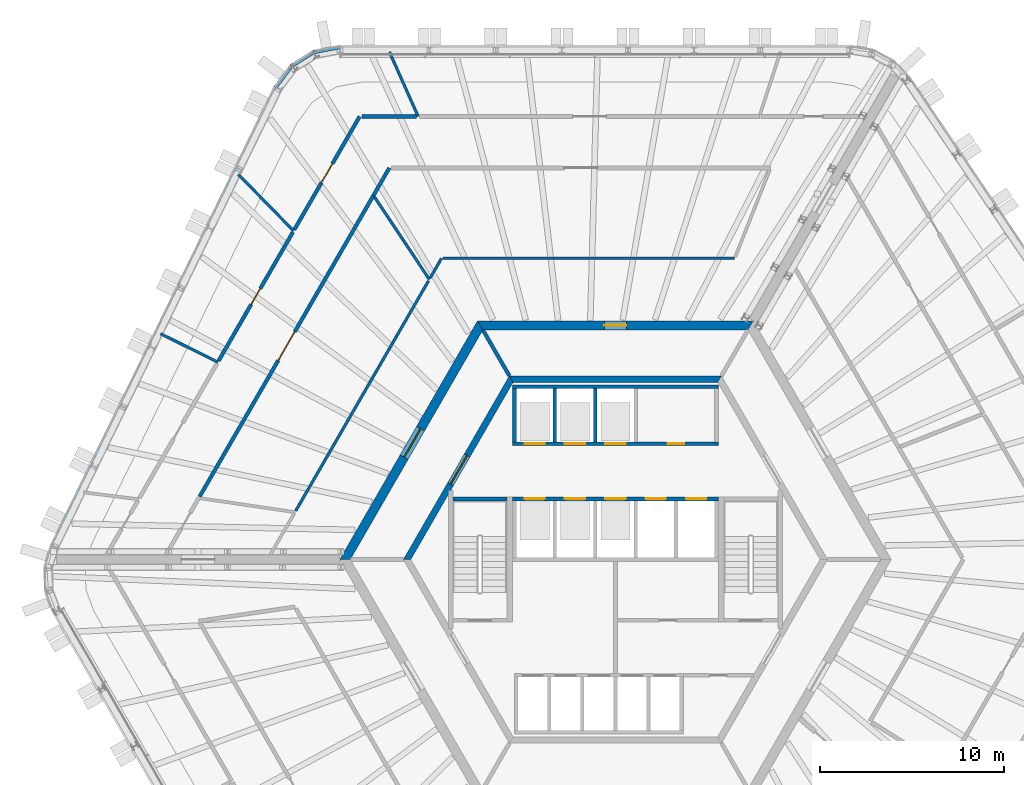
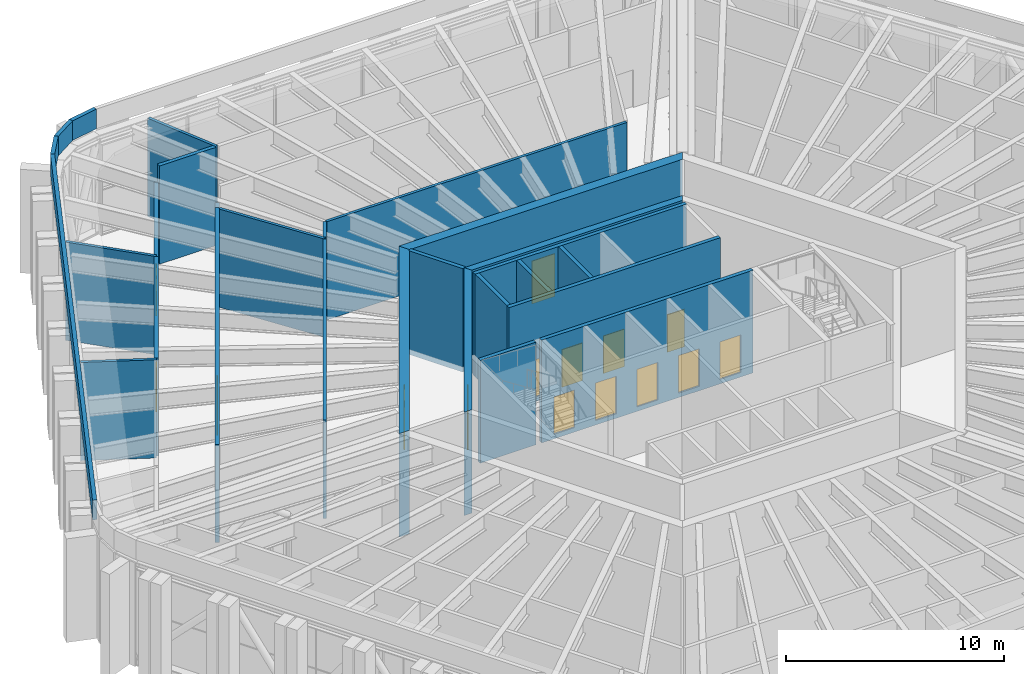
# One storey, part 14 of 24: 28 walls, 15 doors, 15 openings.
"""IFC4 building model written with IfcOpenShell, lengths in metres."""

from ifc_helpers import new_model, si_unit, direction, frame, frame_2d, origin, place, context, subcontext, project, spatial, polyline, rectangle, outline, extrude, material, layer, layer_set, type_object, element, fill, save


model = new_model("IFC4")

# Units and contexts
model_context = context("Model", 3, precision=1e-05, world=origin(), true_north=direction((0.0, 1.0)))
body_context = subcontext(model_context, "Body", "Model", "MODEL_VIEW")
ifc_project = project(units=[si_unit("LENGTHUNIT", "METRE"), si_unit("AREAUNIT", "SQUARE_METRE"), si_unit("VOLUMEUNIT", "CUBIC_METRE"), si_unit("PLANEANGLEUNIT", "RADIAN"), si_unit("MASSUNIT", "GRAM", prefix="KILO")], contexts=[model_context])

# Site, building, storey
site_placement = place(None, origin())
site = spatial("IfcSite", under=ifc_project, at=site_placement, CompositionType="ELEMENT")
building_placement = place(site_placement, origin())
building = spatial("IfcBuilding", under=site, at=building_placement, Name="Tarnside Tower", CompositionType="ELEMENT")
storey_placement = place(building_placement, frame((0.0, 0.0, 250.199951171875)))
storey = spatial("IfcBuildingStorey", under=building, at=storey_placement, Name="L60", CompositionType="ELEMENT", Elevation=250.199951171875)

# Wall, opening, door
ifc_material_1 = material(Name="Concrete C50/60", Category="concrete")
ifc_layer_1 = layer(ifc_material_1, 0.35009765625)
ifc_layer_set_1 = layer_set([ifc_layer_1], Name="Core block wall 350 C50/60")
wall_type_1 = type_object("IfcWallType", Name="Core block wall 350 C50/60", PredefinedType="SHEAR", material=ifc_layer_set_1)
wall_1_placement = place(storey_placement, frame((-5.672607421875, 9.824951171875, -0.300048828125), z_axis=(0.0, 0.0, 1.0), x_axis=(-0.499995046907, -0.866028263435, 0.0)))
wall_1 = element("IfcWall", 1, at=wall_1_placement, inside=storey, type_object=wall_type_1, Name="L60 core block wall face 2", PredefinedType="SHEAR", context=body_context, shape_type="SweptSolid", body=[
    extrude(outline(polyline([(-0.10107421875, -0.175048828125), (11.44580078125, -0.175048828125), (11.24365234375, 0.175048828125), (0.10107421875, 0.175048828125), (-0.10107421875, -0.175048828125)])), origin(), (0.0, 0.0, 1.0), 5.800048828125),
])
opening_1_placement = place(wall_1_placement, frame((4.80126953125, 0.0, 0.300048828125)))
opening_1 = element("IfcOpeningElement", 2, at=opening_1_placement, cuts=wall_1, Name="Opening CD-LOB", PredefinedType="OPENING", context=body_context, shape_type="SweptSolid", body=[
    extrude(rectangle(XDim=1.800048828125, YDim=2.39990234375, at=frame_2d((0.89990234375, 1.199951171875))), frame((0.0, 0.18505859375, 0.0), z_axis=(0.0, -1.0, 0.0), x_axis=(1.0, 0.0, 0.0)), (0.0, 0.0, 1.0), 0.3701171875),
])
ifc_material_2 = material(Name="Steel fire door", Category="steel")
door_type_1 = type_object("IfcDoorType", Name="Lobby double door FD30S 1800x2400", OperationType="NOTDEFINED", PredefinedType="DOOR", material=ifc_material_2)
door_1_placement = place(opening_1_placement, origin())
door_1 = element("IfcDoor", 3, at=door_1_placement, inside=storey, type_object=door_type_1, Name="L60 lobby block door P1", OperationType="DOUBLE_DOOR_SINGLE_SWING", OverallHeight=2.39990234375, OverallWidth=1.800048828125, PredefinedType="DOOR", context=body_context, shape_type="SweptSolid", body=[
    extrude(rectangle(XDim=1.800048828125, YDim=2.39990234375, at=frame_2d((0.89990234375, 1.199951171875))), frame((0.0, 0.02490234375, 0.0), z_axis=(0.0, -1.0, 0.0), x_axis=(1.0, 0.0, 0.0)), (0.0, 0.0, 1.0), 0.050048828125),
])
fill(opening_1, door_1)

# Wall
wall_2_placement = place(storey_placement, frame((5.672607421875, 9.824951171875, -0.300048828125), z_axis=(0.0, 0.0, 1.0), x_axis=(-1.0, 0.0, 0.0)))
element("IfcWall", 4, at=wall_2_placement, inside=storey, type_object=wall_type_1, Name="L60 core block wall face 1", PredefinedType="SHEAR", context=body_context, shape_type="SweptSolid", body=[
    extrude(outline(polyline([(-0.10107421875, -0.175048828125), (11.4462890625, -0.175048828125), (11.244140625, 0.175048828125), (0.10107421875, 0.175048828125), (-0.10107421875, -0.175048828125)])), origin(), (0.0, 0.0, 1.0), 5.800048828125),
])

# Wall, opening, door
ifc_material_3 = material(Name="Concrete C70/85", Category="concrete")
ifc_layer_2 = layer(ifc_material_3, 0.5)
ifc_layer_set_2 = layer_set([ifc_layer_2], Name="Core wall Z2 500 C70/85")
wall_type_2 = type_object("IfcWallType", Name="Core wall Z2 500 C70/85", PredefinedType="SHEAR", material=ifc_layer_set_2)
wall_3_placement = place(storey_placement, frame((-7.361083984375, 12.75, -0.300048828125), z_axis=(0.0, 0.0, 1.0), x_axis=(-0.50000571537, -0.866022103989, 0.0)))
wall_3 = element("IfcWall", 5, at=wall_3_placement, inside=storey, type_object=wall_type_2, Name="L60 core wall face 2", PredefinedType="SHEAR", context=body_context, shape_type="SweptSolid", body=[
    extrude(outline(polyline([(-0.144287109375, -0.25), (14.86669921875, -0.25), (14.578125, 0.25), (0.144287109375, 0.25), (-0.144287109375, -0.25)])), origin(), (0.0, 0.0, 1.0), 5.800048828125),
])
opening_2_placement = place(wall_3_placement, frame((6.489990234375, 0.0, 0.300048828125)))
opening_2 = element("IfcOpeningElement", 6, at=opening_2_placement, cuts=wall_3, Name="Opening CD-LOB", PredefinedType="OPENING", context=body_context, shape_type="SweptSolid", body=[
    extrude(rectangle(XDim=1.800048828125, YDim=2.39990234375, at=frame_2d((0.89990234375, 1.199951171875))), frame((0.0, 0.260009765625, 0.0), z_axis=(0.0, -1.0, 0.0), x_axis=(1.0, 0.0, 0.0)), (0.0, 0.0, 1.0), 0.52001953125),
])
door_2_placement = place(opening_2_placement, origin())
door_2 = element("IfcDoor", 7, at=door_2_placement, inside=storey, type_object=door_type_1, Name="L60 core door P1", OperationType="DOUBLE_DOOR_SINGLE_SWING", OverallHeight=2.39990234375, OverallWidth=1.800048828125, PredefinedType="DOOR", context=body_context, shape_type="SweptSolid", body=[
    extrude(rectangle(XDim=1.800048828125, YDim=2.39990234375, at=frame_2d((0.89990234375, 1.199951171875))), frame((0.0, 0.02490234375, 0.0), z_axis=(0.0, -1.0, 0.0), x_axis=(1.0, 0.0, 0.0)), (0.0, 0.0, 1.0), 0.050048828125),
])
fill(opening_2, door_2)

wall_4_placement = place(storey_placement, frame((7.361083984375, 12.75, -0.300048828125), z_axis=(0.0, 0.0, 1.0), x_axis=(-1.0, 0.0, 0.0)))
wall_4 = element("IfcWall", 8, at=wall_4_placement, inside=storey, type_object=wall_type_2, Name="L60 core wall face 1", PredefinedType="SHEAR", context=body_context, shape_type="SweptSolid", body=[
    extrude(outline(polyline([(-0.144287109375, -0.25), (14.866455078125, -0.25), (14.577880859375, 0.25), (0.144287109375, 0.25), (-0.144287109375, -0.25)])), origin(), (0.0, 0.0, 1.0), 5.800048828125),
])
opening_3_placement = place(wall_4_placement, frame((6.76123046875, 0.0, 0.300048828125)))
opening_3 = element("IfcOpeningElement", 9, at=opening_3_placement, cuts=wall_4, Name="Opening CD-RSR", PredefinedType="OPENING", context=body_context, shape_type="SweptSolid", body=[
    extrude(rectangle(XDim=1.199951171875, YDim=2.39990234375, at=frame_2d((0.60009765625, 1.199951171875))), frame((0.0, 0.260009765625, 0.0), z_axis=(0.0, -1.0, 0.0), x_axis=(1.0, 0.0, 0.0)), (0.0, 0.0, 1.0), 0.52001953125),
])
door_type_2 = type_object("IfcDoorType", Name="Riser door FD60 1200x2400", OperationType="NOTDEFINED", PredefinedType="DOOR", material=ifc_material_2)
door_3_placement = place(opening_3_placement, origin())
door_3 = element("IfcDoor", 10, at=door_3_placement, inside=storey, type_object=door_type_2, Name="L60 core door S5", OperationType="SINGLE_SWING_LEFT", OverallHeight=2.39990234375, OverallWidth=1.199951171875, PredefinedType="DOOR", context=body_context, shape_type="SweptSolid", body=[
    extrude(rectangle(XDim=1.199951171875, YDim=2.39990234375, at=frame_2d((0.60009765625, 1.199951171875))), frame((0.0, 0.02490234375, 0.0), z_axis=(0.0, -1.0, 0.0), x_axis=(1.0, 0.0, 0.0)), (0.0, 0.0, 1.0), 0.050048828125),
])
fill(opening_3, door_3)

# Wall, openings, doors
ifc_material_4 = material(Name="Concrete C40/50", Category="concrete")
ifc_layer_3 = layer(ifc_material_4, 0.199951171875)
ifc_layer_set_3 = layer_set([ifc_layer_3], Name="Lift shaft wall 200 C40/50")
wall_type_3 = type_object("IfcWallType", Name="Lift shaft wall 200 C40/50", PredefinedType="SHEAR", material=ifc_layer_set_3)
wall_5_placement = place(storey_placement, frame((-5.60009765625, 6.300048828125, -0.25), z_axis=(0.0, 0.0, 1.0), x_axis=(1.0, 0.0, 0.0)))
wall_5 = element("IfcWall", 11, at=wall_5_placement, inside=storey, type_object=wall_type_3, Name="L60 lift shaft front wall R1", PredefinedType="SHEAR", context=body_context, shape_type="SweptSolid", body=[
    extrude(rectangle(XDim=11.2001953125, YDim=0.199951171875, at=frame_2d((5.60009765625, 0.0))), origin(), (0.0, 0.0, 1.0), 5.75),
])
opening_4_placement = place(wall_5_placement, frame((8.449951171875, 0.0, 0.25)))
opening_4 = element("IfcOpeningElement", 12, at=opening_4_placement, cuts=wall_5, Name="Opening CD-room", PredefinedType="OPENING", context=body_context, shape_type="SweptSolid", body=[
    extrude(rectangle(XDim=0.89990234375, YDim=2.10009765625, at=frame_2d((0.449951171875, 1.050048828125))), frame((0.0, 0.10986328125, 0.0), z_axis=(0.0, -1.0, 0.0), x_axis=(1.0, 0.0, 0.0)), (0.0, 0.0, 1.0), 0.219970703125),
])
opening_5_placement = place(wall_5_placement, frame((0.64990234375, 0.0, 0.25)))
opening_5 = element("IfcOpeningElement", 13, at=opening_5_placement, cuts=wall_5, Name="Opening LD", PredefinedType="OPENING", context=body_context, shape_type="SweptSolid", body=[
    extrude(rectangle(XDim=1.10009765625, YDim=2.10009765625, at=frame_2d((0.550048828125, 1.050048828125))), frame((0.0, 0.10986328125, 0.0), z_axis=(0.0, -1.0, 0.0), x_axis=(1.0, 0.0, 0.0)), (0.0, 0.0, 1.0), 0.219970703125),
])
opening_6_placement = place(wall_5_placement, frame((2.85009765625, 0.0, 0.25)))
opening_6 = element("IfcOpeningElement", 14, at=opening_6_placement, cuts=wall_5, Name="Opening LD", PredefinedType="OPENING", context=body_context, shape_type="SweptSolid", body=[
    extrude(rectangle(XDim=1.10009765625, YDim=2.10009765625, at=frame_2d((0.550048828125, 1.050048828125))), frame((0.0, 0.10986328125, 0.0), z_axis=(0.0, -1.0, 0.0), x_axis=(1.0, 0.0, 0.0)), (0.0, 0.0, 1.0), 0.219970703125),
])
opening_7_placement = place(wall_5_placement, frame((5.050048828125, 0.0, 0.25)))
opening_7 = element("IfcOpeningElement", 15, at=opening_7_placement, cuts=wall_5, Name="Opening LD", PredefinedType="OPENING", context=body_context, shape_type="SweptSolid", body=[
    extrude(rectangle(XDim=1.10009765625, YDim=2.10009765625, at=frame_2d((0.550048828125, 1.050048828125))), frame((0.0, 0.10986328125, 0.0), z_axis=(0.0, -1.0, 0.0), x_axis=(1.0, 0.0, 0.0)), (0.0, 0.0, 1.0), 0.219970703125),
])
ifc_material_5 = material(Name="Stainless steel", Category="steel")
door_type_3 = type_object("IfcDoorType", Name="Lift landing door 1100x2100", OperationType="NOTDEFINED", PredefinedType="DOOR", material=ifc_material_5)
door_4_placement = place(opening_5_placement, origin())
door_4 = element("IfcDoor", 16, at=door_4_placement, inside=storey, type_object=door_type_3, Name="High-rise lift 1 landing door L60", OperationType="SLIDING_TO_LEFT", OverallHeight=2.10009765625, OverallWidth=1.10009765625, PredefinedType="DOOR", context=body_context, shape_type="SweptSolid", body=[
    extrude(rectangle(XDim=1.10009765625, YDim=2.10009765625, at=frame_2d((0.550048828125, 1.050048828125))), frame((0.0, 0.02490234375, 0.0), z_axis=(0.0, -1.0, 0.0), x_axis=(1.0, 0.0, 0.0)), (0.0, 0.0, 1.0), 0.050048828125),
])
fill(opening_5, door_4)
door_5_placement = place(opening_6_placement, origin())
door_5 = element("IfcDoor", 17, at=door_5_placement, inside=storey, type_object=door_type_3, Name="High-rise lift 2 landing door L60", OperationType="SLIDING_TO_LEFT", OverallHeight=2.10009765625, OverallWidth=1.10009765625, PredefinedType="DOOR", context=body_context, shape_type="SweptSolid", body=[
    extrude(rectangle(XDim=1.10009765625, YDim=2.10009765625, at=frame_2d((0.550048828125, 1.050048828125))), frame((0.0, 0.02490234375, 0.0), z_axis=(0.0, -1.0, 0.0), x_axis=(1.0, 0.0, 0.0)), (0.0, 0.0, 1.0), 0.050048828125),
])
fill(opening_6, door_5)
door_6_placement = place(opening_7_placement, origin())
door_6 = element("IfcDoor", 18, at=door_6_placement, inside=storey, type_object=door_type_3, Name="High-rise lift 3 landing door L60", OperationType="SLIDING_TO_LEFT", OverallHeight=2.10009765625, OverallWidth=1.10009765625, PredefinedType="DOOR", context=body_context, shape_type="SweptSolid", body=[
    extrude(rectangle(XDim=1.10009765625, YDim=2.10009765625, at=frame_2d((0.550048828125, 1.050048828125))), frame((0.0, 0.02490234375, 0.0), z_axis=(0.0, -1.0, 0.0), x_axis=(1.0, 0.0, 0.0)), (0.0, 0.0, 1.0), 0.050048828125),
])
fill(opening_7, door_6)
door_type_4 = type_object("IfcDoorType", Name="Room door FD60 900x2100", OperationType="NOTDEFINED", PredefinedType="DOOR", material=ifc_material_2)
door_7_placement = place(opening_4_placement, origin())
door_7 = element("IfcDoor", 19, at=door_7_placement, inside=storey, type_object=door_type_4, Name="L60 core room door FC1", OperationType="SINGLE_SWING_LEFT", OverallHeight=2.10009765625, OverallWidth=0.89990234375, PredefinedType="DOOR", context=body_context, shape_type="SweptSolid", body=[
    extrude(rectangle(XDim=0.89990234375, YDim=2.10009765625, at=frame_2d((0.449951171875, 1.050048828125))), frame((0.0, 0.02490234375, 0.0), z_axis=(0.0, -1.0, 0.0), x_axis=(1.0, 0.0, 0.0)), (0.0, 0.0, 1.0), 0.050048828125),
])
fill(opening_4, door_7)

# Walls
wall_6_placement = place(storey_placement, frame((-5.60009765625, 9.39990234375, -0.25), z_axis=(0.0, 0.0, 1.0), x_axis=(1.0, 0.0, 0.0)))
element("IfcWall", 20, at=wall_6_placement, inside=storey, type_object=wall_type_3, Name="L60 lift shaft back wall R1", PredefinedType="SHEAR", context=body_context, shape_type="SweptSolid", body=[
    extrude(rectangle(XDim=11.2001953125, YDim=0.199951171875, at=frame_2d((5.60009765625, 0.0))), origin(), (0.0, 0.0, 1.0), 5.75),
])
for number, where, z_axis, x_axis, name in (
    (21, (-5.5, 6.39990234375, -0.25), (0.0, 0.0, 1.0), (0.0, 1.0, 0.0), "L60 lift shaft partition R11"),
    (22, (-3.300048828125, 6.39990234375, -0.25), (0.0, 0.0, 1.0), (0.0, 1.0, 0.0), "L60 lift shaft partition R12"),
    (23, (-1.10009765625, 6.39990234375, -0.25), (0.0, 0.0, 1.0), (0.0, 1.0, 0.0), "L60 lift shaft partition R13"),
):
    element("IfcWall", number, at=place(storey_placement, frame(where, z_axis=z_axis, x_axis=x_axis)), inside=storey, type_object=wall_type_3, Name=name, PredefinedType="SHEAR", context=body_context, shape_type="SweptSolid", body=[
        extrude(rectangle(XDim=2.900146484375, YDim=0.199951171875, at=frame_2d((1.4501953125, 0.0))), origin(), (0.0, 0.0, 1.0), 5.75),
    ])

# Wall, openings, doors
wall_7_placement = place(storey_placement, frame((-5.60009765625, 3.300048828125, -0.25), z_axis=(0.0, 0.0, 1.0), x_axis=(1.0, 0.0, 0.0)))
wall_7 = element("IfcWall", 24, at=wall_7_placement, inside=storey, type_object=wall_type_3, Name="L60 lift shaft front wall R2", PredefinedType="SHEAR", context=body_context, shape_type="SweptSolid", body=[
    extrude(rectangle(XDim=11.2001953125, YDim=0.199951171875, at=frame_2d((5.60009765625, 0.0))), origin(), (0.0, 0.0, 1.0), 5.75),
])
opening_8_placement = place(wall_7_placement, frame((0.64990234375, 0.0, 0.25)))
opening_8 = element("IfcOpeningElement", 25, at=opening_8_placement, cuts=wall_7, Name="Opening LD", PredefinedType="OPENING", context=body_context, shape_type="SweptSolid", body=[
    extrude(rectangle(XDim=1.10009765625, YDim=2.10009765625, at=frame_2d((0.550048828125, 1.050048828125))), frame((0.0, 0.10986328125, 0.0), z_axis=(0.0, -1.0, 0.0), x_axis=(1.0, 0.0, 0.0)), (0.0, 0.0, 1.0), 0.219970703125),
])
opening_9_placement = place(wall_7_placement, frame((2.85009765625, 0.0, 0.25)))
opening_9 = element("IfcOpeningElement", 26, at=opening_9_placement, cuts=wall_7, Name="Opening LD", PredefinedType="OPENING", context=body_context, shape_type="SweptSolid", body=[
    extrude(rectangle(XDim=1.10009765625, YDim=2.10009765625, at=frame_2d((0.550048828125, 1.050048828125))), frame((0.0, 0.10986328125, 0.0), z_axis=(0.0, -1.0, 0.0), x_axis=(1.0, 0.0, 0.0)), (0.0, 0.0, 1.0), 0.219970703125),
])
opening_10_placement = place(wall_7_placement, frame((5.050048828125, 0.0, 0.25)))
opening_10 = element("IfcOpeningElement", 27, at=opening_10_placement, cuts=wall_7, Name="Opening LD", PredefinedType="OPENING", context=body_context, shape_type="SweptSolid", body=[
    extrude(rectangle(XDim=1.10009765625, YDim=2.10009765625, at=frame_2d((0.550048828125, 1.050048828125))), frame((0.0, 0.10986328125, 0.0), z_axis=(0.0, -1.0, 0.0), x_axis=(1.0, 0.0, 0.0)), (0.0, 0.0, 1.0), 0.219970703125),
])
opening_11_placement = place(wall_7_placement, frame((7.25, 0.0, 0.25)))
opening_11 = element("IfcOpeningElement", 28, at=opening_11_placement, cuts=wall_7, Name="Opening LD", PredefinedType="OPENING", context=body_context, shape_type="SweptSolid", body=[
    extrude(rectangle(XDim=1.10009765625, YDim=2.10009765625, at=frame_2d((0.550048828125, 1.050048828125))), frame((0.0, 0.10986328125, 0.0), z_axis=(0.0, -1.0, 0.0), x_axis=(1.0, 0.0, 0.0)), (0.0, 0.0, 1.0), 0.219970703125),
])
opening_12_placement = place(wall_7_placement, frame((9.449951171875, 0.0, 0.25)))
opening_12 = element("IfcOpeningElement", 29, at=opening_12_placement, cuts=wall_7, Name="Opening LD", PredefinedType="OPENING", context=body_context, shape_type="SweptSolid", body=[
    extrude(rectangle(XDim=1.10009765625, YDim=2.10009765625, at=frame_2d((0.550048828125, 1.050048828125))), frame((0.0, 0.10986328125, 0.0), z_axis=(0.0, -1.0, 0.0), x_axis=(1.0, 0.0, 0.0)), (0.0, 0.0, 1.0), 0.219970703125),
])
door_8_placement = place(opening_8_placement, origin())
door_8 = element("IfcDoor", 30, at=door_8_placement, inside=storey, type_object=door_type_3, Name="High-rise lift 4 landing door L60", OperationType="SLIDING_TO_LEFT", OverallHeight=2.10009765625, OverallWidth=1.10009765625, PredefinedType="DOOR", context=body_context, shape_type="SweptSolid", body=[
    extrude(rectangle(XDim=1.10009765625, YDim=2.10009765625, at=frame_2d((0.550048828125, 1.050048828125))), frame((0.0, 0.02490234375, 0.0), z_axis=(0.0, -1.0, 0.0), x_axis=(1.0, 0.0, 0.0)), (0.0, 0.0, 1.0), 0.050048828125),
])
fill(opening_8, door_8)
door_9_placement = place(opening_9_placement, origin())
door_9 = element("IfcDoor", 31, at=door_9_placement, inside=storey, type_object=door_type_3, Name="High-rise lift 5 landing door L60", OperationType="SLIDING_TO_LEFT", OverallHeight=2.10009765625, OverallWidth=1.10009765625, PredefinedType="DOOR", context=body_context, shape_type="SweptSolid", body=[
    extrude(rectangle(XDim=1.10009765625, YDim=2.10009765625, at=frame_2d((0.550048828125, 1.050048828125))), frame((0.0, 0.02490234375, 0.0), z_axis=(0.0, -1.0, 0.0), x_axis=(1.0, 0.0, 0.0)), (0.0, 0.0, 1.0), 0.050048828125),
])
fill(opening_9, door_9)
door_10_placement = place(opening_10_placement, origin())
door_10 = element("IfcDoor", 32, at=door_10_placement, inside=storey, type_object=door_type_3, Name="High-rise lift 6 landing door L60", OperationType="SLIDING_TO_LEFT", OverallHeight=2.10009765625, OverallWidth=1.10009765625, PredefinedType="DOOR", context=body_context, shape_type="SweptSolid", body=[
    extrude(rectangle(XDim=1.10009765625, YDim=2.10009765625, at=frame_2d((0.550048828125, 1.050048828125))), frame((0.0, 0.02490234375, 0.0), z_axis=(0.0, -1.0, 0.0), x_axis=(1.0, 0.0, 0.0)), (0.0, 0.0, 1.0), 0.050048828125),
])
fill(opening_10, door_10)
door_11_placement = place(opening_11_placement, origin())
door_11 = element("IfcDoor", 33, at=door_11_placement, inside=storey, type_object=door_type_3, Name="High sky-lobby shuttle 1 landing door L60", OperationType="SLIDING_TO_LEFT", OverallHeight=2.10009765625, OverallWidth=1.10009765625, PredefinedType="DOOR", context=body_context, shape_type="SweptSolid", body=[
    extrude(rectangle(XDim=1.10009765625, YDim=2.10009765625, at=frame_2d((0.550048828125, 1.050048828125))), frame((0.0, 0.02490234375, 0.0), z_axis=(0.0, -1.0, 0.0), x_axis=(1.0, 0.0, 0.0)), (0.0, 0.0, 1.0), 0.050048828125),
])
fill(opening_11, door_11)
door_12_placement = place(opening_12_placement, origin())
door_12 = element("IfcDoor", 34, at=door_12_placement, inside=storey, type_object=door_type_3, Name="Express sky-lobby shuttle 2 landing door L60", OperationType="SLIDING_TO_LEFT", OverallHeight=2.10009765625, OverallWidth=1.10009765625, PredefinedType="DOOR", context=body_context, shape_type="SweptSolid", body=[
    extrude(rectangle(XDim=1.10009765625, YDim=2.10009765625, at=frame_2d((0.550048828125, 1.050048828125))), frame((0.0, 0.02490234375, 0.0), z_axis=(0.0, -1.0, 0.0), x_axis=(1.0, 0.0, 0.0)), (0.0, 0.0, 1.0), 0.050048828125),
])
fill(opening_12, door_12)

# Walls
wall_8_placement = place(storey_placement, frame((-5.7734375, 10.0, -0.300048828125), z_axis=(0.0, 0.0, 1.0), x_axis=(-0.499995765644, 0.866027848477, 0.0)))
element("IfcWall", 35, at=wall_8_placement, inside=storey, type_object=wall_type_3, Name="L60 core partition AR120", PredefinedType="SHEAR", context=body_context, shape_type="SweptSolid", body=[
    extrude(rectangle(XDim=2.88671875, YDim=0.199951171875, at=frame_2d((1.443359375, 0.0))), origin(), (0.0, 0.0, 1.0), 5.800048828125),
])
wall_9_placement = place(storey_placement, frame((-8.85009765625, 3.300048828125, -0.25), z_axis=(0.0, 0.0, 1.0), x_axis=(1.0, 0.0, 0.0)))
element("IfcWall", 36, at=wall_9_placement, inside=storey, type_object=wall_type_3, Name="L60 stair 2 enclosure cap wall n", PredefinedType="SHEAR", context=body_context, shape_type="SweptSolid", body=[
    extrude(rectangle(XDim=2.9501953125, YDim=0.199951171875, at=frame_2d((1.47509765625, 0.0))), origin(), (0.0, 0.0, 1.0), 5.75),
])
ifc_material_6 = material(Name="Concrete C35/45 precast", Category="concrete")
ifc_layer_4 = layer(ifc_material_6, 0.199951171875)
ifc_layer_set_4 = layer_set([ifc_layer_4], Name="Parapet 200 x 1100")
wall_type_4 = type_object("IfcWallType", Name="Parapet 200 x 1100", PredefinedType="PARAPET", material=ifc_layer_set_4)
wall_10_placement = place(storey_placement, frame((-30.666748046875, 0.768310546875, 5.699951171875), z_axis=(0.0, 0.0, 1.0), x_axis=(0.43836623679, 0.898796441049, 0.0)))
element("IfcWall", 37, at=wall_10_placement, inside=storey, type_object=wall_type_4, Name="Roof parapet 20", PredefinedType="PARAPET", context=body_context, shape_type="SweptSolid", body=[
    extrude(outline(polyline([(0.008056640625, -0.10009765625), (27.73095703125, -0.10009765625), (27.74951171875, 0.10009765625), (-0.008056640625, 0.10009765625), (0.008056640625, -0.10009765625)])), origin(), (0.0, 0.0, 1.0), 1.10009765625),
])
wall_11_placement = place(storey_placement, frame((-18.50634765625, 25.701171875, 5.699951171875), z_axis=(0.0, 0.0, 1.0), x_axis=(0.597118923952, 0.802152722777, 0.0)))
element("IfcWall", 38, at=wall_11_placement, inside=storey, type_object=wall_type_4, Name="Roof parapet 21", PredefinedType="PARAPET", context=body_context, shape_type="SweptSolid", body=[
    extrude(outline(polyline([(0.00927734375, -0.10009765625), (1.433837890625, -0.10009765625), (1.471435546875, 0.10009765625), (-0.00927734375, 0.10009765625), (0.00927734375, -0.10009765625)])), origin(), (0.0, 0.0, 1.0), 1.10009765625),
])
wall_12_placement = place(storey_placement, frame((-17.638916015625, 26.866455078125, 5.699951171875), z_axis=(0.0, 0.0, 1.0), x_axis=(0.848083831846, 0.529862070884, 0.0)))
element("IfcWall", 39, at=wall_12_placement, inside=storey, type_object=wall_type_4, Name="Roof parapet 22", PredefinedType="PARAPET", context=body_context, shape_type="SweptSolid", body=[
    extrude(outline(polyline([(0.018798828125, -0.10009765625), (1.42431640625, -0.10009765625), (1.4619140625, 0.10009765625), (-0.018798828125, 0.10009765625), (0.018798828125, -0.10009765625)])), origin(), (0.0, 0.0, 1.0), 1.10009765625),
])
wall_13_placement = place(storey_placement, frame((-16.4150390625, 27.631103515625, 5.699951171875), z_axis=(0.0, 0.0, 1.0), x_axis=(0.982729187844, 0.185049570005, 0.0)))
element("IfcWall", 40, at=wall_13_placement, inside=storey, type_object=wall_type_4, Name="Roof parapet 23", PredefinedType="PARAPET", context=body_context, shape_type="SweptSolid", body=[
    extrude(outline(polyline([(0.018798828125, -0.10009765625), (1.443359375, -0.10009765625), (1.4619140625, 0.10009765625), (-0.018798828125, 0.10009765625), (0.018798828125, -0.10009765625)])), origin(), (0.0, 0.0, 1.0), 1.10009765625),
])
ifc_material_7 = material(Name="Gypsum board")
ifc_layer_5 = layer(ifc_material_7, 0.14990234375)
ifc_layer_set_5 = layer_set([ifc_layer_5], Name="Partition 150 gypsum board on metal stud")
wall_type_5 = type_object("IfcWallType", Name="Partition 150 gypsum board on metal stud", PredefinedType="PARTITIONING", material=ifc_layer_set_5)
wall_14_placement = place(storey_placement, frame((-24.76708984375, 12.294921875, 0.0), z_axis=(0.0, 0.0, 1.0), x_axis=(0.895713074793, -0.444632531024, 0.0)))
element("IfcWall", 41, at=wall_14_placement, inside=storey, type_object=wall_type_5, Name="Partition 003", PredefinedType="PARTITIONING", context=body_context, shape_type="SweptSolid", body=[
    extrude(rectangle(XDim=3.4833984375, YDim=0.14990234375, at=frame_2d((1.74169921875, 0.0))), origin(), (0.0, 0.0, 1.0), 5.5),
])
wall_15_placement = place(storey_placement, frame((-20.52685546875, 20.9619140625, 0.0), z_axis=(0.0, 0.0, 1.0), x_axis=(0.699623583843, -0.714511610074, 0.0)))
element("IfcWall", 42, at=wall_15_placement, inside=storey, type_object=wall_type_5, Name="Partition 011", PredefinedType="PARTITIONING", context=body_context, shape_type="SweptSolid", body=[
    extrude(rectangle(XDim=4.29638671875, YDim=0.14990234375, at=frame_2d((2.148193359375, 0.0))), origin(), (0.0, 0.0, 1.0), 5.5),
])
wall_16_placement = place(storey_placement, frame((-13.110107421875, 19.73193359375, 0.0), z_axis=(0.0, 0.0, 1.0), x_axis=(0.553422205017, -0.83290087225, 0.0)))
element("IfcWall", 43, at=wall_16_placement, inside=storey, type_object=wall_type_5, Name="Partition 020", PredefinedType="PARTITIONING", context=body_context, shape_type="SweptSolid", body=[
    extrude(rectangle(XDim=5.381103515625, YDim=0.14990234375, at=frame_2d((2.6904296875, 0.0))), origin(), (0.0, 0.0, 1.0), 5.5),
])
wall_17_placement = place(storey_placement, frame((-12.303466796875, 27.6328125, 0.0), z_axis=(0.0, 0.0, 1.0), x_axis=(0.406845245806, -0.913497096856, 0.0)))
element("IfcWall", 44, at=wall_17_placement, inside=storey, type_object=wall_type_5, Name="Partition 023", PredefinedType="PARTITIONING", context=body_context, shape_type="SweptSolid", body=[
    extrude(rectangle(XDim=3.84521484375, YDim=0.14990234375, at=frame_2d((1.922607421875, 0.0))), origin(), (0.0, 0.0, 1.0), 5.5),
])
wall_18_placement = place(storey_placement, frame((-10.173828125, 15.177490234375, 0.0), z_axis=(0.0, 0.0, 1.0), x_axis=(-0.500018949701, -0.866014462893, 0.0)))
element("IfcWall", 45, at=wall_18_placement, inside=storey, type_object=wall_type_5, Name="Partition 025", PredefinedType="PARTITIONING", context=body_context, shape_type="SweptSolid", body=[
    extrude(rectangle(XDim=14.46923828125, YDim=0.14990234375, at=frame_2d((7.234619140625, 0.0))), origin(), (0.0, 0.0, 1.0), 5.5),
])
wall_19_placement = place(storey_placement, frame((-9.468994140625, 16.39990234375, 0.0), z_axis=(0.0, 0.0, 1.0), x_axis=(-0.499433504563, -0.866352223128, 0.0)))
element("IfcWall", 46, at=wall_19_placement, inside=storey, type_object=wall_type_5, Name="Partition 027", PredefinedType="PARTITIONING", context=body_context, shape_type="SweptSolid", body=[
    extrude(rectangle(XDim=1.24365234375, YDim=0.14990234375, at=frame_2d((0.621826171875, 0.0))), origin(), (0.0, 0.0, 1.0), 5.5),
])
wall_20_placement = place(storey_placement, frame((6.492919921875, 16.39990234375, 0.0), z_axis=(0.0, 0.0, 1.0), x_axis=(-1.0, 0.0, 0.0)))
element("IfcWall", 47, at=wall_20_placement, inside=storey, type_object=wall_type_5, Name="Partition 033", PredefinedType="PARTITIONING", context=body_context, shape_type="SweptSolid", body=[
    extrude(rectangle(XDim=15.875244140625, YDim=0.14990234375, at=frame_2d((7.9375, 0.0))), origin(), (0.0, 0.0, 1.0), 5.5),
])

# Wall, opening, door
ifc_material_8 = material(Name="Concrete C32/40", Category="concrete")
ifc_layer_6 = layer(ifc_material_8, 0.199951171875)
ifc_layer_set_6 = layer_set([ifc_layer_6], Name="Wall 200 reinforced Concrete C32/40")
wall_type_6 = type_object("IfcWallType", Name="Wall 200 reinforced Concrete C32/40", PredefinedType="PARTITIONING", material=ifc_layer_set_6)
wall_21_placement = place(storey_placement, frame((-13.172119140625, 19.824951171875, 0.0), z_axis=(0.0, 0.0, 1.0), x_axis=(-0.499999503755, -0.866025690291, 0.0)))
wall_21 = element("IfcWall", 48, at=wall_21_placement, inside=storey, type_object=wall_type_6, Name="Partition 008", PredefinedType="PARTITIONING", context=body_context, shape_type="SweptSolid", body=[
    extrude(rectangle(XDim=18.94287109375, YDim=0.199951171875, at=frame_2d((9.471435546875, 0.0))), origin(), (0.0, 0.0, 1.0), 5.5),
])
opening_13_placement = place(wall_21_placement, frame((8.571533203125, 0.0, 0.0)))
opening_13 = element("IfcOpeningElement", 49, at=opening_13_placement, cuts=wall_21, Name="Opening D1800F30", PredefinedType="OPENING", context=body_context, shape_type="SweptSolid", body=[
    extrude(rectangle(XDim=1.800048828125, YDim=2.10009765625, at=frame_2d((0.89990234375, 1.050048828125))), frame((0.0, 0.10986328125, 0.0), z_axis=(0.0, -1.0, 0.0), x_axis=(1.0, 0.0, 0.0)), (0.0, 0.0, 1.0), 0.219970703125),
])
ifc_material_9 = material(Name="Timber door leaf", Category="wood")
door_type_5 = type_object("IfcDoorType", Name="Door pair 1800 x 2100 FD30S fire door", OperationType="NOTDEFINED", PredefinedType="DOOR", material=ifc_material_9)
door_13_placement = place(opening_13_placement, origin())
door_13 = element("IfcDoor", 50, at=door_13_placement, inside=storey, type_object=door_type_5, Name="Door L60-04", OperationType="DOUBLE_DOOR_SINGLE_SWING", OverallHeight=2.10009765625, OverallWidth=1.800048828125, PredefinedType="DOOR", context=body_context, shape_type="SweptSolid", body=[
    extrude(rectangle(XDim=1.800048828125, YDim=2.10009765625, at=frame_2d((0.89990234375, 1.050048828125))), frame((0.0, 0.02490234375, 0.0), z_axis=(0.0, -1.0, 0.0), x_axis=(1.0, 0.0, 0.0)), (0.0, 0.0, 1.0), 0.050048828125),
])
fill(opening_13, door_13)

wall_22_placement = place(storey_placement, frame((-21.609375, 10.81103515625, 0.0), z_axis=(0.0, 0.0, 1.0), x_axis=(0.500032982845, 0.866006360293, 0.0)))
wall_22 = element("IfcWall", 51, at=wall_22_placement, inside=storey, type_object=wall_type_6, Name="Partition 013", PredefinedType="PARTITIONING", context=body_context, shape_type="SweptSolid", body=[
    extrude(rectangle(XDim=8.0986328125, YDim=0.199951171875, at=frame_2d((4.04931640625, 0.0))), origin(), (0.0, 0.0, 1.0), 5.5),
])
opening_14_placement = place(wall_22_placement, frame((3.54931640625, 0.0, 0.0)))
opening_14 = element("IfcOpeningElement", 52, at=opening_14_placement, cuts=wall_22, Name="Opening D1000", PredefinedType="OPENING", context=body_context, shape_type="SweptSolid", body=[
    extrude(rectangle(XDim=1.0, YDim=2.10009765625, at=frame_2d((0.5, 1.050048828125))), frame((0.0, 0.10986328125, 0.0), z_axis=(0.0, -1.0, 0.0), x_axis=(1.0, 0.0, 0.0)), (0.0, 0.0, 1.0), 0.219970703125),
])
door_type_6 = type_object("IfcDoorType", Name="Door 1000 x 2100 single leaf", OperationType="NOTDEFINED", PredefinedType="DOOR", material=ifc_material_9)
door_14_placement = place(opening_14_placement, origin())
door_14 = element("IfcDoor", 53, at=door_14_placement, inside=storey, type_object=door_type_6, Name="Door L60-07", OperationType="SINGLE_SWING_RIGHT", OverallHeight=2.10009765625, OverallWidth=1.0, PredefinedType="DOOR", context=body_context, shape_type="SweptSolid", body=[
    extrude(rectangle(XDim=1.0, YDim=2.10009765625, at=frame_2d((0.5, 1.050048828125))), frame((0.0, 0.02490234375, 0.0), z_axis=(0.0, -1.0, 0.0), x_axis=(1.0, 0.0, 0.0)), (0.0, 0.0, 1.0), 0.050048828125),
])
fill(opening_14, door_14)

wall_23_placement = place(storey_placement, frame((-17.482177734375, 17.95947265625, 0.0), z_axis=(0.0, 0.0, 1.0), x_axis=(0.499926463787, 0.866067855774, 0.0)))
wall_23 = element("IfcWall", 54, at=wall_23_placement, inside=storey, type_object=wall_type_6, Name="Partition 018", PredefinedType="PARTITIONING", context=body_context, shape_type="SweptSolid", body=[
    extrude(rectangle(XDim=7.11328125, YDim=0.199951171875, at=frame_2d((3.556640625, 0.0))), origin(), (0.0, 0.0, 1.0), 4.573486328125),
])
opening_15_placement = place(wall_23_placement, frame((2.95654296875, 0.0, 0.0)))
opening_15 = element("IfcOpeningElement", 55, at=opening_15_placement, cuts=wall_23, Name="Opening D1200F30", PredefinedType="OPENING", context=body_context, shape_type="SweptSolid", body=[
    extrude(rectangle(XDim=1.199951171875, YDim=2.10009765625, at=frame_2d((0.60009765625, 1.050048828125))), frame((0.0, 0.10986328125, 0.0), z_axis=(0.0, -1.0, 0.0), x_axis=(1.0, 0.0, 0.0)), (0.0, 0.0, 1.0), 0.219970703125),
])
door_type_7 = type_object("IfcDoorType", Name="Door 1200 x 2100 single leaf FD30S fire door", OperationType="NOTDEFINED", PredefinedType="DOOR", material=ifc_material_9)
door_15_placement = place(opening_15_placement, origin())
door_15 = element("IfcDoor", 56, at=door_15_placement, inside=storey, type_object=door_type_7, Name="Door L60-09", OperationType="SINGLE_SWING_RIGHT", OverallHeight=2.10009765625, OverallWidth=1.199951171875, PredefinedType="DOOR", context=body_context, shape_type="SweptSolid", body=[
    extrude(rectangle(XDim=1.199951171875, YDim=2.10009765625, at=frame_2d((0.60009765625, 1.050048828125))), frame((0.0, 0.02490234375, 0.0), z_axis=(0.0, -1.0, 0.0), x_axis=(1.0, 0.0, 0.0)), (0.0, 0.0, 1.0), 0.050048828125),
])
fill(opening_15, door_15)

# Walls
wall_24_placement = place(storey_placement, frame((-13.172119140625, 19.824951171875, 0.0), z_axis=(0.0, 0.0, 1.0), x_axis=(0.49992648901, 0.866067841215, 0.0)))
element("IfcWall", 57, at=wall_24_placement, inside=storey, type_object=wall_type_6, Name="Partition 019", PredefinedType="PARTITIONING", context=body_context, shape_type="SweptSolid", body=[
    extrude(rectangle(XDim=1.726318359375, YDim=0.199951171875, at=frame_2d((0.86328125, 0.0))), origin(), (0.0, 0.0, 1.0), 4.573486328125),
])
wall_25_placement = place(storey_placement, frame((-10.821044921875, 24.1201171875, 0.0), z_axis=(0.0, 0.0, 1.0), x_axis=(-1.0, 0.0, 0.0)))
element("IfcWall", 58, at=wall_25_placement, inside=storey, type_object=wall_type_6, Name="Partition 024", PredefinedType="PARTITIONING", context=body_context, shape_type="SweptSolid", body=[
    extrude(rectangle(XDim=2.989501953125, YDim=0.199951171875, at=frame_2d((1.49462890625, 0.0))), origin(), (0.0, 0.0, 1.0), 5.5),
])

save(model, "model.ifc")
